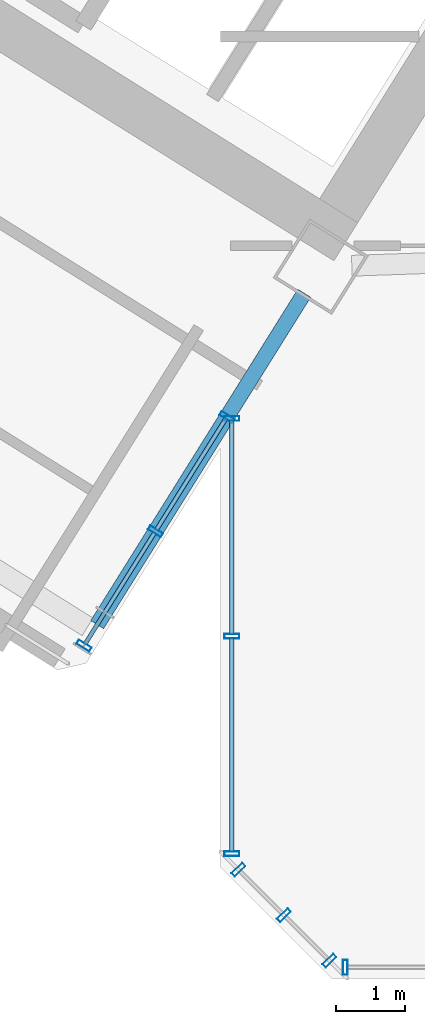
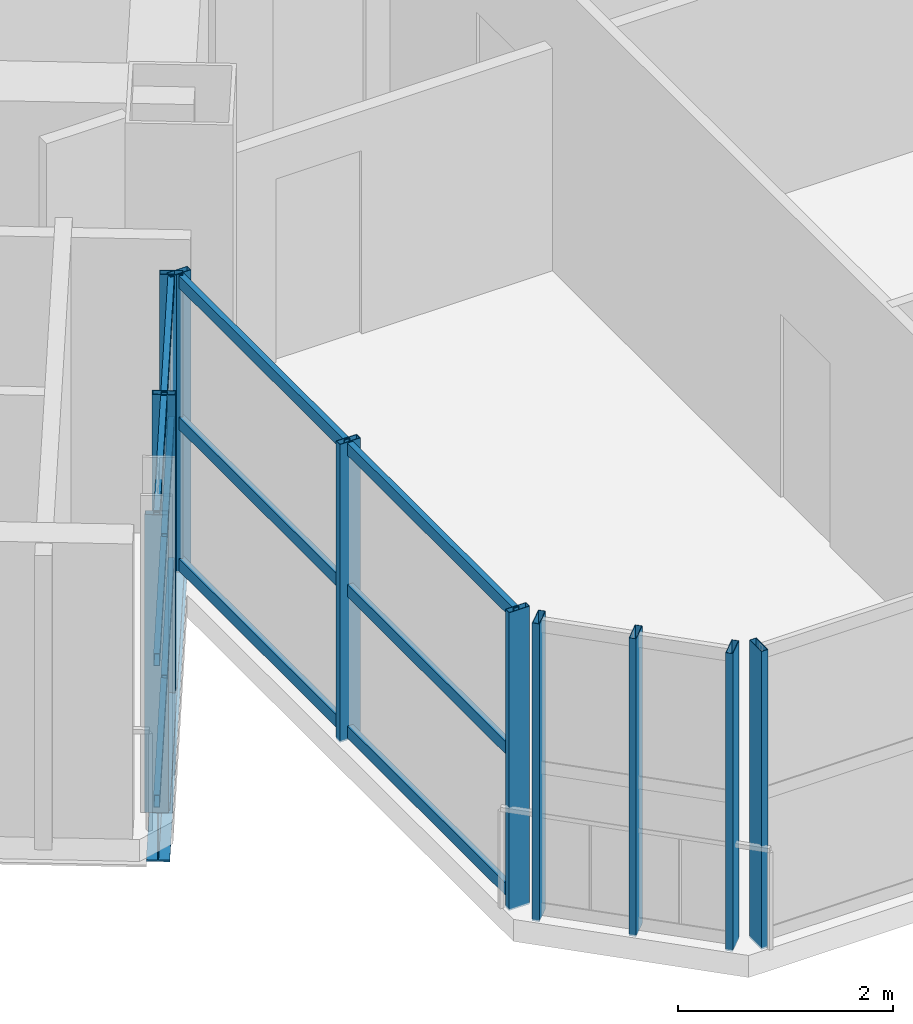
# One storey, part 5 of 24: 22 members, 1 beam, 4 elements without a shape of their own.
"""IFC4 building model written with IfcOpenShell, lengths in metres."""

import ifcopenshell
import ifcopenshell.guid

model = None  # the IFC model being written
_history = None  # IfcOwnerHistory: only IFC2X3 demands one
_inside = {}  # id of a spatial element -> (the spatial element, [elements in it])
_under = {}  # id of a project, library or spatial element -> (it, [spatial elements below it])
_declared = {}  # id of a project -> (the project, [libraries it declares])
_typed = {}  # id of a type object -> (the type object, [elements of that type])
_made_of = {}  # id of a material, layer set ... -> (it, [elements and type objects made of it])


def new_model(schema):
    """Start an empty IFC model of exactly this schema.

    Asked for "IFC4X3", IfcOpenShell would pick the latest addendum, in which some entities
    have other attributes; the version numbers below select the first issue.
    IFC2X3 requires an IfcOwnerHistory on every rooted entity: one is made here for all.
    """
    global model, _history
    if schema == "IFC4X3":
        model = ifcopenshell.file(schema_version=(4, 3, 0, 0))
    else:
        model = ifcopenshell.file(schema=schema)
    _inside.clear()
    _under.clear()
    _declared.clear()
    _typed.clear()
    _made_of.clear()
    _history = None
    if model.schema == "IFC2X3":
        org = make("IfcOrganization", Name="unknown")
        user = make(
            "IfcPersonAndOrganization",
            ThePerson=make("IfcPerson", FamilyName="unknown"),
            TheOrganization=org,
        )
        app = make(
            "IfcApplication",
            ApplicationDeveloper=org,
            Version="unknown",
            ApplicationFullName="unknown",
            ApplicationIdentifier="unknown",
        )
        _history = make(
            "IfcOwnerHistory",
            OwningUser=user,
            OwningApplication=app,
            ChangeAction="ADDED",
            CreationDate=0,
        )
    return model


def make(cls, **values):
    """One entity of the class cls with the attributes given. An attribute that is None is left unset."""
    return model.create_entity(
        cls, **{name: value for name, value in values.items() if value is not None}
    )


def rooted(cls, **values):
    """An entity with a GlobalId (a new one), such as an element, a storey or a relation."""
    return make(cls, GlobalId=ifcopenshell.guid.new(), OwnerHistory=_history, **values)


def si_unit(unit_type, name, prefix=None):
    """IfcSIUnit, for example si_unit("LENGTHUNIT", "METRE", prefix="MILLI")."""
    return make("IfcSIUnit", UnitType=unit_type, Prefix=prefix, Name=name)


def assignment(units):
    """IfcUnitAssignment: the units of a project."""
    return None if units is None else make("IfcUnitAssignment", Units=units)


def point(xyz):
    """IfcCartesianPoint."""
    return None if xyz is None else make("IfcCartesianPoint", Coordinates=xyz)


def direction(xyz):
    """IfcDirection."""
    return None if xyz is None else make("IfcDirection", DirectionRatios=xyz)


def frame(location, z_axis=None, x_axis=None):
    """IfcAxis2Placement3D, a coordinate frame: its origin and axes. An axis left out is left unset."""
    return make(
        "IfcAxis2Placement3D",
        Location=point(location),
        Axis=direction(z_axis),
        RefDirection=direction(x_axis),
    )


def frame_2d(location, x_axis=None):
    """IfcAxis2Placement2D, a coordinate frame in the plane: its origin and x axis."""
    return make(
        "IfcAxis2Placement2D", Location=point(location), RefDirection=direction(x_axis)
    )


def origin():
    """The frame at (0, 0, 0) with its axes left unset."""
    return frame((0.0, 0.0, 0.0))


def origin_2d():
    """The frame at (0, 0) in the plane with its x axis left unset."""
    return frame_2d((0.0, 0.0))


def place(relative_to, where):
    """IfcLocalPlacement: puts the frame where relative to a parent placement (None: the world)."""
    return make(
        "IfcLocalPlacement", PlacementRelTo=relative_to, RelativePlacement=where
    )


def context(
    kind, dimensions, precision=None, world=None, true_north=None, identifier=None
):
    """IfcGeometricRepresentationContext, for example the 3D "Model" context."""
    return make(
        "IfcGeometricRepresentationContext",
        ContextIdentifier=identifier,
        ContextType=kind,
        CoordinateSpaceDimension=dimensions,
        Precision=precision,
        WorldCoordinateSystem=world,
        TrueNorth=true_north,
    )


def subcontext(parent, identifier, kind, view, scale=None):
    """IfcGeometricRepresentationSubContext, for example "Body" below "Model"."""
    return make(
        "IfcGeometricRepresentationSubContext",
        ContextIdentifier=identifier,
        ContextType=kind,
        ParentContext=parent,
        TargetScale=scale,
        TargetView=view,
    )


def project(units=None, contexts=None):
    """IfcProject with its units and contexts."""
    return rooted(
        "IfcProject",
        Name="project",
        RepresentationContexts=contexts,
        UnitsInContext=assignment(units),
    )


def spatial(cls, under=None, at=None, **own):
    """A site, building, storey or space (cls), placed at a placement, below another one or the project."""
    s = rooted(cls, ObjectPlacement=at, **own)
    if under is not None:
        _under.setdefault(under.id(), (under, []))[1].append(s)
    return s


def profile(cls, at=None, kind="AREA", **sizes):
    """A parametric profile (cls). Its sizes go by their IFC names, for example OverallWidth=200.0."""
    return make(cls, ProfileType=kind, Position=at, **sizes)


def hollow_rectangle(**sizes):
    """IfcRectangleHollowProfileDef."""
    return profile("IfcRectangleHollowProfileDef", **sizes)


def i_section(**sizes):
    """IfcIShapeProfileDef."""
    return profile("IfcIShapeProfileDef", **sizes)


def extrude(swept, where, along, depth):
    """IfcExtrudedAreaSolid: the profile swept, set in the frame where, extruded along a direction by depth."""
    return make(
        "IfcExtrudedAreaSolid",
        SweptArea=swept,
        Position=where,
        ExtrudedDirection=direction(along),
        Depth=depth,
    )


def shape(context_of_items, identifier, shape_type, items):
    """IfcShapeRepresentation: the items that make up one representation, for example the "Body"."""
    return make(
        "IfcShapeRepresentation",
        ContextOfItems=context_of_items,
        RepresentationIdentifier=identifier,
        RepresentationType=shape_type,
        Items=items,
    )


def source(mapping_origin, context_of_items, identifier, shape_type, items):
    """IfcRepresentationMap: a shape defined once, which mapped items show again and again."""
    return make(
        "IfcRepresentationMap",
        MappingOrigin=mapping_origin,
        MappedRepresentation=shape(context_of_items, identifier, shape_type, items),
    )


def transform(
    local_origin,
    x_axis=None,
    y_axis=None,
    z_axis=None,
    scale=None,
    scale2=None,
    scale3=None,
    uniform=True,
):
    """IfcCartesianTransformationOperator3D, or its non-uniform kind. x_axis, y_axis, z_axis: its Axis1, 2, 3."""
    if uniform:
        return make(
            "IfcCartesianTransformationOperator3D",
            Axis1=direction(x_axis),
            Axis2=direction(y_axis),
            LocalOrigin=point(local_origin),
            Scale=scale,
            Axis3=direction(z_axis),
        )
    return make(
        "IfcCartesianTransformationOperator3DnonUniform",
        Axis1=direction(x_axis),
        Axis2=direction(y_axis),
        LocalOrigin=point(local_origin),
        Scale=scale,
        Axis3=direction(z_axis),
        Scale2=scale2,
        Scale3=scale3,
    )


def mapped(mapping_source, mapping_target):
    """IfcMappedItem: shows the shape of a source again, moved by a transform."""
    return make(
        "IfcMappedItem", MappingSource=mapping_source, MappingTarget=mapping_target
    )


def material(Name=None, Category=None):
    """IfcMaterial."""
    return make("IfcMaterial", Name=Name, Category=Category)


def material_profile(
    of_material, cross_section, Name=None, Category=None, Priority=None
):
    """IfcMaterialProfile: a cross section and its material."""
    return make(
        "IfcMaterialProfile",
        Name=Name,
        Material=of_material,
        Profile=cross_section,
        Priority=Priority,
        Category=Category,
    )


def profile_set(profiles, Name=None, composite=None):
    """IfcMaterialProfileSet."""
    return make(
        "IfcMaterialProfileSet",
        Name=Name,
        MaterialProfiles=profiles,
        CompositeProfile=composite,
    )


def made_of(thing, what):
    """Note that an element or type object is made of a material, layer set ...; save() writes the relation."""
    if what is not None:
        _made_of.setdefault(what.id(), (what, []))[1].append(thing)
    return thing


def type_object(cls, material=None, **own):
    """A type object (cls), such as IfcWallType, which elements share."""
    return made_of(rooted(cls, **own), material)


def element(
    cls,
    number,
    at=None,
    inside=None,
    cuts=None,
    type_object=None,
    material=None,
    context=None,
    identifier="Body",
    shape_type=None,
    held_by="IfcProductDefinitionShape",
    body=None,
    shapes=None,
    **own,
):
    """One element of the class cls, such as IfcWall. Its Tag is "e" and its number.

    at: its placement. inside: the storey or other place that contains it. cuts: it is an
    opening in that element (IfcRelVoidsElement). A single representation is given by context,
    identifier, shape_type and body (its items); several are given by shapes. held_by: the class
    of the entity that holds the representations. save() writes the other relations.
    """
    e = rooted(cls, Tag="e%d" % number, ObjectPlacement=at, **own)
    if body is not None:
        shapes = [shape(context, identifier, shape_type, body)]
    if shapes is not None:
        e.Representation = make(held_by, Representations=shapes)
    if inside is not None:
        _inside.setdefault(inside.id(), (inside, []))[1].append(e)
    if cuts is not None:
        rooted(
            "IfcRelVoidsElement", RelatingBuildingElement=cuts, RelatedOpeningElement=e
        )
    if type_object is not None:
        _typed.setdefault(type_object.id(), (type_object, []))[1].append(e)
    return made_of(e, material)


def aggregate(whole, parts):
    """IfcRelAggregates: a whole, such as a stair, and the parts it consists of."""
    return rooted("IfcRelAggregates", RelatingObject=whole, RelatedObjects=parts)


def save(model, path):
    """Write the relations noted so far, then the file.

    IfcRelAggregates (storeys below a building ...), IfcRelContainedInSpatialStructure (elements
    in a storey), IfcRelDefinesByType, IfcRelAssociatesMaterial and IfcRelDeclares: one each for
    every whole, place, type object, material and project.
    """
    for whole, parts in _under.values():
        aggregate(whole, parts)
    for where, things in _inside.values():
        rooted(
            "IfcRelContainedInSpatialStructure",
            RelatedElements=things,
            RelatingStructure=where,
        )
    for kind, things in _typed.values():
        rooted("IfcRelDefinesByType", RelatedObjects=things, RelatingType=kind)
    for what, things in _made_of.values():
        rooted("IfcRelAssociatesMaterial", RelatedObjects=things, RelatingMaterial=what)
    for by, libraries in _declared.values():
        rooted("IfcRelDeclares", RelatingContext=by, RelatedDefinitions=libraries)
    model.write(path)


model = new_model("IFC4")

# Units and contexts
model_context = context("Model", 3, precision=1e-05, world=origin(), true_north=direction((0.0, 1.0)))
body_context = subcontext(model_context, "Body", "Model", "MODEL_VIEW")
ifc_project = project(units=[si_unit("LENGTHUNIT", "METRE"), si_unit("AREAUNIT", "SQUARE_METRE"), si_unit("VOLUMEUNIT", "CUBIC_METRE"), si_unit("PLANEANGLEUNIT", "RADIAN"), si_unit("MASSUNIT", "GRAM", prefix="KILO")], contexts=[model_context])

# Site, building, storey
site_placement = place(None, origin())
site = spatial("IfcSite", under=ifc_project, at=site_placement, CompositionType="ELEMENT")
building_placement = place(site_placement, origin())
building = spatial("IfcBuilding", under=site, at=building_placement, Name="Tlacorven Tower", CompositionType="ELEMENT")
storey_placement = place(building_placement, frame((0.0, 0.0, 45.60009765625)))
storey = spatial("IfcBuildingStorey", under=building, at=storey_placement, Name="L11", CompositionType="ELEMENT", Elevation=45.60009765625)

# Beam
ifc_material_1 = material(Name="Steel S355J2", Category="steel")
ifc_material_profile_1 = material_profile(ifc_material_1, i_section(OverallWidth=0.219970703125, OverallDepth=0.60009765625, WebThickness=0.011962890625, FlangeThickness=0.01904296875, at=origin_2d()), Name="IPE 600")
ifc_profile_set_1 = profile_set([ifc_material_profile_1], Name="Steel S355J2")
beam_type = type_object("IfcBeamType", Name="BM-TWR-600", PredefinedType="BEAM", material=ifc_profile_set_1)
shared_shape_1 = source(origin(), body_context, "Body", "SweptSolid", [
    extrude(i_section(OverallWidth=0.219970703125, OverallDepth=0.60009765625, WebThickness=0.011962890625, FlangeThickness=0.01904296875, at=origin_2d()), origin(), (0.0, 0.0, 1.0), 5.64990234375),
])
beam_placement = place(storey_placement, frame((32.8076171875, 11.705322265625, -0.550048828125), z_axis=(-0.529897948462, -0.848061415356, 0.0), x_axis=(0.848061415356, -0.529897948462, 0.0)))
element("IfcBeam", 1, at=beam_placement, inside=storey, type_object=beam_type, Name="L11 beam BM-L11-WT1-2", PredefinedType="BEAM", context=body_context, shape_type="MappedRepresentation", body=[
    mapped(shared_shape_1, transform((0.0, 0.0, 0.0), scale=1.0)),
])

# Curtain wall, members
ifc_material_2 = material(Name="Dark solar low-E double glazing in aluminium frame", Category="aluminium")
curtain_wall_type = type_object("IfcCurtainWallType", Name="CW-TWR-LOW", PredefinedType="USERDEFINED", material=ifc_material_2)
curtain_wall_1_placement = place(storey_placement, origin())
curtain_wall_1 = element("IfcCurtainWall", 2, at=curtain_wall_1_placement, inside=storey, type_object=curtain_wall_type, Name="L11 CW-TWR-LOW Curtain Wall 60", ObjectType="UNITISED CURTAIN WALL", PredefinedType="USERDEFINED")
ifc_material_3 = material(Name="Aluminium 6063-T6 anodised", Category="aluminium")
ifc_material_profile_2 = material_profile(ifc_material_3, hollow_rectangle(XDim=0.06005859375, YDim=0.139892578125, WallThickness=0.00390625, at=origin_2d()), Name="ALU TRANSOM 60X140")
ifc_profile_set_2 = profile_set([ifc_material_profile_2], Name="Aluminium 6063-T6 anodised")
member_type_1 = type_object("IfcMemberType", Name="CWT-02", PredefinedType="USERDEFINED", material=ifc_profile_set_2)
shared_shape_2 = source(origin(), body_context, "Body", "SweptSolid", [
    extrude(hollow_rectangle(XDim=0.06005859375, YDim=0.139892578125, WallThickness=0.00390625, at=origin_2d()), origin(), (0.0, 0.0, 1.0), 3.10009765625),
])
member_1_placement = place(storey_placement, frame((31.760009765625, 3.624267578125, 0.06982421875), z_axis=(0.0, 1.0, 0.0), x_axis=(-1.0, 0.0, 0.0)))
member_1 = element("IfcMember", 3, at=member_1_placement, type_object=member_type_1, Name="CW-L11-060 Transom 1", ObjectType="TRANSOM", PredefinedType="USERDEFINED", context=body_context, shape_type="MappedRepresentation", body=[
    mapped(shared_shape_2, transform((0.0, 0.0, 0.0), scale=1.0)),
])
member_2_placement = place(storey_placement, frame((31.760009765625, 3.624267578125, 1.6748046875), z_axis=(0.0, 1.0, 0.0), x_axis=(-1.0, 0.0, 0.0)))
member_2 = element("IfcMember", 4, at=member_2_placement, type_object=member_type_1, Name="CW-L11-060 Transom 2", ObjectType="TRANSOM", PredefinedType="USERDEFINED", context=body_context, shape_type="MappedRepresentation", body=[
    mapped(shared_shape_2, transform((0.0, 0.0, 0.0), scale=1.0)),
])
member_3_placement = place(storey_placement, frame((31.760009765625, 3.624267578125, 3.27978515625), z_axis=(0.0, 1.0, 0.0), x_axis=(-1.0, 0.0, 0.0)))
member_3 = element("IfcMember", 5, at=member_3_placement, type_object=member_type_1, Name="CW-L11-060 Transom 3", ObjectType="TRANSOM", PredefinedType="USERDEFINED", context=body_context, shape_type="MappedRepresentation", body=[
    mapped(shared_shape_2, transform((0.0, 0.0, 0.0), scale=1.0)),
])
member_4_placement = place(storey_placement, frame((31.760009765625, 6.7705078125, 0.06982421875), z_axis=(0.0, 1.0, 0.0), x_axis=(-1.0, 0.0, 0.0)))
member_4 = element("IfcMember", 6, at=member_4_placement, type_object=member_type_1, Name="CW-L11-060 Transom 4", ObjectType="TRANSOM", PredefinedType="USERDEFINED", context=body_context, shape_type="MappedRepresentation", body=[
    mapped(shared_shape_2, transform((0.0, 0.0, 0.0), scale=1.0)),
])
member_5_placement = place(storey_placement, frame((31.760009765625, 6.7705078125, 1.6748046875), z_axis=(0.0, 1.0, 0.0), x_axis=(-1.0, 0.0, 0.0)))
member_5 = element("IfcMember", 7, at=member_5_placement, type_object=member_type_1, Name="CW-L11-060 Transom 5", ObjectType="TRANSOM", PredefinedType="USERDEFINED", context=body_context, shape_type="MappedRepresentation", body=[
    mapped(shared_shape_2, transform((0.0, 0.0, 0.0), scale=1.0)),
])
member_6_placement = place(storey_placement, frame((31.760009765625, 6.7705078125, 3.27978515625), z_axis=(0.0, 1.0, 0.0), x_axis=(-1.0, 0.0, 0.0)))
member_6 = element("IfcMember", 8, at=member_6_placement, type_object=member_type_1, Name="CW-L11-060 Transom 6", ObjectType="TRANSOM", PredefinedType="USERDEFINED", context=body_context, shape_type="MappedRepresentation", body=[
    mapped(shared_shape_2, transform((0.0, 0.0, 0.0), scale=1.0)),
])

curtain_wall_2_placement = place(storey_placement, origin())
curtain_wall_2 = element("IfcCurtainWall", 9, at=curtain_wall_2_placement, inside=storey, type_object=curtain_wall_type, Name="L11 CW-TWR-LOW Curtain Wall 61", ObjectType="UNITISED CURTAIN WALL", PredefinedType="USERDEFINED")
shared_shape_3 = source(origin(), body_context, "Body", "SweptSolid", [
    extrude(hollow_rectangle(XDim=0.06005859375, YDim=0.139892578125, WallThickness=0.00390625, at=origin_2d()), origin(), (0.0, 0.0, 1.0), 1.902587890625),
])
member_7_placement = place(storey_placement, frame((31.67626953125, 9.894775390625, 0.06982421875), z_axis=(-0.529848980307, -0.848092010378, 0.0), x_axis=(0.848092010378, -0.529848980307, 0.0)))
member_7 = element("IfcMember", 10, at=member_7_placement, type_object=member_type_1, Name="CW-L11-061 Transom 1", ObjectType="TRANSOM", PredefinedType="USERDEFINED", context=body_context, shape_type="MappedRepresentation", body=[
    mapped(shared_shape_3, transform((0.0, 0.0, 0.0), scale=1.0)),
])
member_8_placement = place(storey_placement, frame((31.67626953125, 9.894775390625, 1.6748046875), z_axis=(-0.529848980307, -0.848092010378, 0.0), x_axis=(0.848092010378, -0.529848980307, 0.0)))
member_8 = element("IfcMember", 11, at=member_8_placement, type_object=member_type_1, Name="CW-L11-061 Transom 2", ObjectType="TRANSOM", PredefinedType="USERDEFINED", context=body_context, shape_type="MappedRepresentation", body=[
    mapped(shared_shape_3, transform((0.0, 0.0, 0.0), scale=1.0)),
])
member_9_placement = place(storey_placement, frame((31.67626953125, 9.894775390625, 3.27978515625), z_axis=(-0.529848980307, -0.848092010378, 0.0), x_axis=(0.848092010378, -0.529848980307, 0.0)))
member_9 = element("IfcMember", 12, at=member_9_placement, type_object=member_type_1, Name="CW-L11-061 Transom 3", ObjectType="TRANSOM", PredefinedType="USERDEFINED", context=body_context, shape_type="MappedRepresentation", body=[
    mapped(shared_shape_3, transform((0.0, 0.0, 0.0), scale=1.0)),
])
shared_shape_4 = source(origin(), body_context, "Body", "SweptSolid", [
    extrude(hollow_rectangle(XDim=0.06005859375, YDim=0.139892578125, WallThickness=0.00390625, at=origin_2d()), origin(), (0.0, 0.0, 1.0), 1.90234375),
])
member_10_placement = place(storey_placement, frame((30.643798828125, 8.242431640625, 0.06982421875), z_axis=(-0.52990664903, -0.84805597888, 0.0), x_axis=(0.84805597888, -0.52990664903, 0.0)))
member_10 = element("IfcMember", 13, at=member_10_placement, type_object=member_type_1, Name="CW-L11-061 Transom 4", ObjectType="TRANSOM", PredefinedType="USERDEFINED", context=body_context, shape_type="MappedRepresentation", body=[
    mapped(shared_shape_4, transform((0.0, 0.0, 0.0), scale=1.0)),
])
member_11_placement = place(storey_placement, frame((30.643798828125, 8.242431640625, 1.6748046875), z_axis=(-0.52990664903, -0.84805597888, 0.0), x_axis=(0.84805597888, -0.52990664903, 0.0)))
member_11 = element("IfcMember", 14, at=member_11_placement, type_object=member_type_1, Name="CW-L11-061 Transom 5", ObjectType="TRANSOM", PredefinedType="USERDEFINED", context=body_context, shape_type="MappedRepresentation", body=[
    mapped(shared_shape_4, transform((0.0, 0.0, 0.0), scale=1.0)),
])
member_12_placement = place(storey_placement, frame((30.643798828125, 8.242431640625, 3.27978515625), z_axis=(-0.52990664903, -0.84805597888, 0.0), x_axis=(0.84805597888, -0.52990664903, 0.0)))
member_12 = element("IfcMember", 15, at=member_12_placement, type_object=member_type_1, Name="CW-L11-061 Transom 6", ObjectType="TRANSOM", PredefinedType="USERDEFINED", context=body_context, shape_type="MappedRepresentation", body=[
    mapped(shared_shape_4, transform((0.0, 0.0, 0.0), scale=1.0)),
])

# Curtain wall, member
curtain_wall_3_placement = place(storey_placement, origin())
curtain_wall_3 = element("IfcCurtainWall", 16, at=curtain_wall_3_placement, inside=storey, type_object=curtain_wall_type, Name="L11 CW-TWR-LOW Curtain Wall 58", ObjectType="UNITISED CURTAIN WALL", PredefinedType="USERDEFINED")
ifc_material_profile_3 = material_profile(ifc_material_3, hollow_rectangle(XDim=0.070068359375, YDim=0.219970703125, WallThickness=0.0048828125, at=origin_2d()), Name="ALU MULLION 70X220")
ifc_profile_set_3 = profile_set([ifc_material_profile_3], Name="Aluminium 6063-T6 anodised")
member_type_2 = type_object("IfcMemberType", Name="CWM-01", PredefinedType="MULLION", material=ifc_profile_set_3)
shared_shape_5 = source(origin(), body_context, "Body", "SweptSolid", [
    extrude(hollow_rectangle(XDim=0.070068359375, YDim=0.219970703125, WallThickness=0.0048828125, at=origin_2d()), origin(), (0.0, 0.0, 1.0), 3.3798828125),
])
member_13_placement = place(storey_placement, frame((33.4013671875, 1.9599609375, -0.02001953125), z_axis=(0.0, 0.0, 1.0), x_axis=(-1.0, 0.0, 0.0)))
member_13 = element("IfcMember", 17, at=member_13_placement, type_object=member_type_2, Name="CW-L11-058 Mullion 4", PredefinedType="MULLION", context=body_context, shape_type="MappedRepresentation", body=[
    mapped(shared_shape_5, transform((0.0, 0.0, 0.0), scale=1.0)),
])
aggregate(curtain_wall_3, [member_13])

# Curtain wall, members
curtain_wall_4_placement = place(storey_placement, origin())
curtain_wall_4 = element("IfcCurtainWall", 18, at=curtain_wall_4_placement, inside=storey, type_object=curtain_wall_type, Name="L11 CW-TWR-LOW Curtain Wall 59", ObjectType="UNITISED CURTAIN WALL", PredefinedType="USERDEFINED")
member_14_placement = place(storey_placement, frame((33.1708984375, 2.055419921875, -0.02001953125), z_axis=(0.0, 0.0, 1.0), x_axis=(-0.707106781187, 0.707106781187, 0.0)))
member_14 = element("IfcMember", 19, at=member_14_placement, type_object=member_type_2, Name="CW-L11-059 Mullion 1", PredefinedType="MULLION", context=body_context, shape_type="MappedRepresentation", body=[
    mapped(shared_shape_5, transform((0.0, 0.0, 0.0), scale=1.0)),
])
member_15_placement = place(storey_placement, frame((32.51318359375, 2.713134765625, -0.02001953125), z_axis=(0.0, 0.0, 1.0), x_axis=(-0.707106781187, 0.707106781187, 0.0)))
member_15 = element("IfcMember", 20, at=member_15_placement, type_object=member_type_2, Name="CW-L11-059 Mullion 2", PredefinedType="MULLION", context=body_context, shape_type="MappedRepresentation", body=[
    mapped(shared_shape_5, transform((0.0, 0.0, 0.0), scale=1.0)),
])
member_16_placement = place(storey_placement, frame((31.85546875, 3.370849609375, -0.02001953125), z_axis=(0.0, 0.0, 1.0), x_axis=(-0.707106781187, 0.707106781187, 0.0)))
member_16 = element("IfcMember", 21, at=member_16_placement, type_object=member_type_2, Name="CW-L11-059 Mullion 3", PredefinedType="MULLION", context=body_context, shape_type="MappedRepresentation", body=[
    mapped(shared_shape_5, transform((0.0, 0.0, 0.0), scale=1.0)),
])
aggregate(curtain_wall_4, [member_14, member_15, member_16])

# Member
member_17_placement = place(storey_placement, frame((31.760009765625, 3.601318359375, -0.02001953125), z_axis=(0.0, 0.0, 1.0), x_axis=(0.0, 1.0, 0.0)))
member_17 = element("IfcMember", 22, at=member_17_placement, type_object=member_type_2, Name="CW-L11-060 Mullion 1", PredefinedType="MULLION", context=body_context, shape_type="MappedRepresentation", body=[
    mapped(shared_shape_5, transform((0.0, 0.0, 0.0), scale=1.0)),
])

member_18_placement = place(storey_placement, frame((31.760009765625, 6.74755859375, -0.02001953125), z_axis=(0.0, 0.0, 1.0), x_axis=(0.0, 1.0, 0.0)))
member_18 = element("IfcMember", 23, at=member_18_placement, type_object=member_type_2, Name="CW-L11-060 Mullion 2", PredefinedType="MULLION", context=body_context, shape_type="MappedRepresentation", body=[
    mapped(shared_shape_5, transform((0.0, 0.0, 0.0), scale=1.0)),
])

member_19_placement = place(storey_placement, frame((31.760009765625, 9.8935546875, -0.02001953125), z_axis=(0.0, 0.0, 1.0), x_axis=(0.0, 1.0, 0.0)))
member_19 = element("IfcMember", 24, at=member_19_placement, type_object=member_type_2, Name="CW-L11-060 Mullion 3", PredefinedType="MULLION", context=body_context, shape_type="MappedRepresentation", body=[
    mapped(shared_shape_5, transform((0.0, 0.0, 0.0), scale=1.0)),
])

aggregate(curtain_wall_1, [member_17, member_18, member_19, member_1, member_2, member_3, member_4, member_5, member_6])

member_20_placement = place(storey_placement, frame((31.6884765625, 9.9140625, -0.02001953125), z_axis=(0.0, 0.0, 1.0), x_axis=(-0.529918710919, -0.848048441905, 0.0)))
member_20 = element("IfcMember", 25, at=member_20_placement, type_object=member_type_2, Name="CW-L11-061 Mullion 1", PredefinedType="MULLION", context=body_context, shape_type="MappedRepresentation", body=[
    mapped(shared_shape_5, transform((0.0, 0.0, 0.0), scale=1.0)),
])

member_21_placement = place(storey_placement, frame((30.656005859375, 8.261962890625, -0.02001953125), z_axis=(0.0, 0.0, 1.0), x_axis=(-0.529918710919, -0.848048441905, 0.0)))
member_21 = element("IfcMember", 26, at=member_21_placement, type_object=member_type_2, Name="CW-L11-061 Mullion 2", PredefinedType="MULLION", context=body_context, shape_type="MappedRepresentation", body=[
    mapped(shared_shape_5, transform((0.0, 0.0, 0.0), scale=1.0)),
])

member_22_placement = place(storey_placement, frame((29.62353515625, 6.609619140625, -0.02001953125), z_axis=(0.0, 0.0, 1.0), x_axis=(-0.529918710919, -0.848048441905, 0.0)))
member_22 = element("IfcMember", 27, at=member_22_placement, type_object=member_type_2, Name="CW-L11-061 Mullion 3", PredefinedType="MULLION", context=body_context, shape_type="MappedRepresentation", body=[
    mapped(shared_shape_5, transform((0.0, 0.0, 0.0), scale=1.0)),
])

aggregate(curtain_wall_2, [member_20, member_21, member_22, member_7, member_8, member_9, member_10, member_11, member_12])

save(model, "model.ifc")
